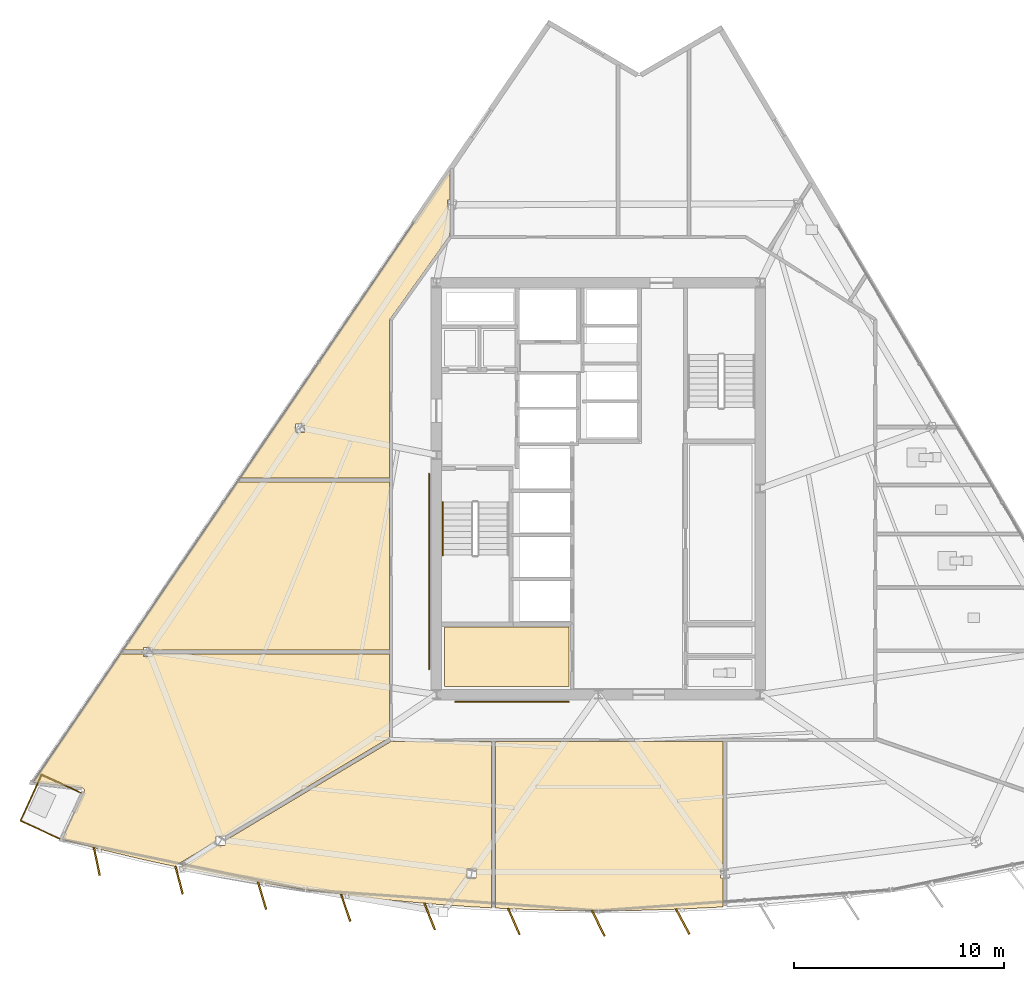
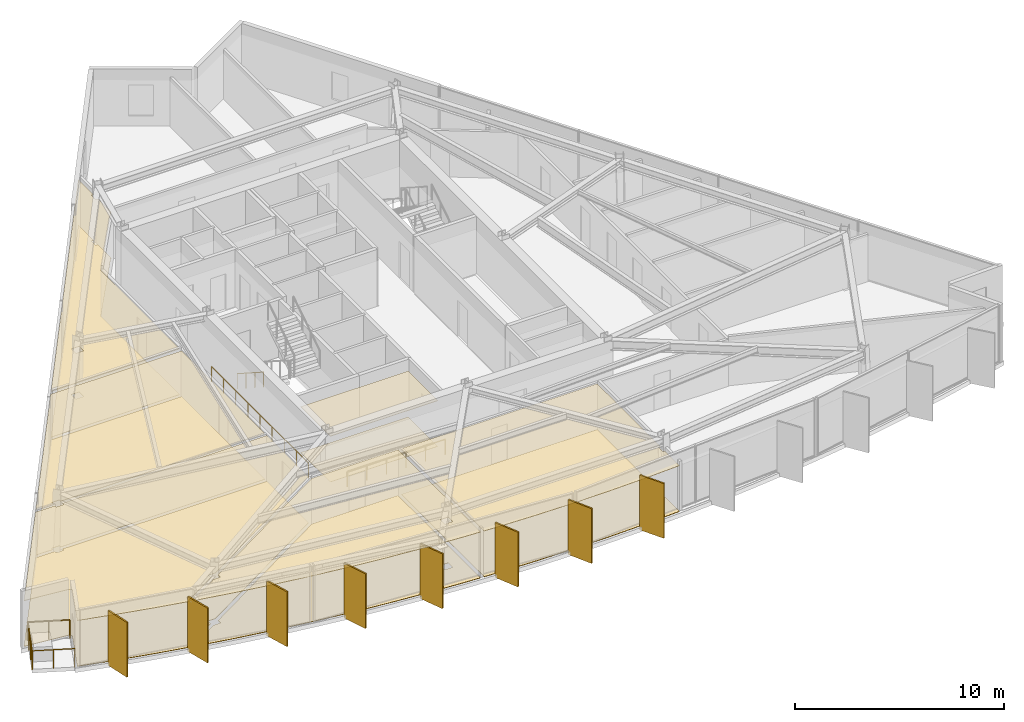
# One storey, part 11 of 15: 12 coverings, 8 shading devices, 6 railings.
"""IFC4 building model written with IfcOpenShell, lengths in metres."""

from ifc_helpers import new_model, si_unit, direction, frame, origin, origin_2d, place, context, subcontext, project, spatial, polyline, rectangle, circle, outline, extrude, material, layer, layer_set, type_object, element, save


model = new_model("IFC4")

# Units and contexts
model_context = context("Model", 3, precision=1e-05, world=origin(), true_north=direction((0.0, 1.0)))
body_context = subcontext(model_context, "Body", "Model", "MODEL_VIEW")
ifc_project = project(units=[si_unit("LENGTHUNIT", "METRE"), si_unit("AREAUNIT", "SQUARE_METRE"), si_unit("VOLUMEUNIT", "CUBIC_METRE"), si_unit("PLANEANGLEUNIT", "RADIAN"), si_unit("MASSUNIT", "GRAM", prefix="KILO")], contexts=[model_context])

# Site, building, storey
site_placement = place(None, origin())
site = spatial("IfcSite", under=ifc_project, at=site_placement, CompositionType="ELEMENT")
building_placement = place(site_placement, origin())
building = spatial("IfcBuilding", under=site, at=building_placement, Name="Savorim Split Tower", CompositionType="ELEMENT")
storey_placement = place(building_placement, frame((0.0, 0.0, 145.800048828125)))
storey = spatial("IfcBuildingStorey", under=building, at=storey_placement, Name="L38", CompositionType="ELEMENT", Elevation=145.800048828125)

# Coverings
ifc_material_1 = material(Name="Mineral Fibre Acoustic Ceiling")
ifc_layer_1 = layer(ifc_material_1, 0.02490234375)
ifc_layer_set_1 = layer_set([ifc_layer_1], Name="COV-CEIL-25")
covering_type_1 = type_object("IfcCoveringType", Name="COV-CEIL-25", PredefinedType="CEILING", material=ifc_layer_set_1)
covering_1_placement = place(storey_placement, frame((0.0, 0.0, 2.669921875)))
element("IfcCovering", 1, at=covering_1_placement, inside=storey, type_object=covering_type_1, Name="L38 Housekeeping Store Acoustic Ceiling", PredefinedType="CEILING", context=body_context, shape_type="SweptSolid", body=[
    extrude(outline(polyline([(-7.320068359375, -6.179931640625), (-7.320068359375, -9.02001953125), (-1.3798828125, -9.02001953125), (-1.3798828125, -6.179931640625), (-7.320068359375, -6.179931640625)])), origin(), (0.0, 0.0, 1.0), 0.025146484375),
])
covering_2_placement = place(storey_placement, frame((0.0, 0.0, 2.669921875)))
element("IfcCovering", 2, at=covering_2_placement, inside=storey, type_object=covering_type_1, Name="L38 Co-Working Commons Acoustic Ceiling", PredefinedType="CEILING", context=body_context, shape_type="SweptSolid", body=[
    extrude(outline(polyline([(-21.217529296875, -7.149658203125), (-21.217529296875, -7.268310546875), (-9.919921875, -7.268310546875), (-9.919921875, 0.704833984375), (-17.169677734375, 0.704833984375), (-22.593505859375, -7.268310546875), (-21.6416015625, -7.268310546875), (-21.6416015625, -7.149658203125), (-21.217529296875, -7.149658203125)])), origin(), (0.0, 0.0, 1.0), 0.025146484375),
])
covering_3_placement = place(storey_placement, frame((0.0, 0.0, 2.669921875)))
element("IfcCovering", 3, at=covering_3_placement, inside=storey, type_object=covering_type_1, Name="L38 Maker Workshop Acoustic Ceiling", PredefinedType="CEILING", context=body_context, shape_type="SweptSolid", body=[
    extrude(outline(polyline([(-24.447265625, -13.9619140625), (-24.447998046875, -13.973876953125), (-24.4501953125, -13.985595703125), (-24.45361328125, -13.9970703125), (-24.4580078125, -14.00830078125), (-25.5048828125, -16.28662109375), (-23.711181640625, -16.755615234375), (-21.770263671875, -17.220947265625), (-20.06103515625, -17.593994140625), (-20.09912109375, -17.530029296875), (-18.181640625, -16.3837890625), (-18.181640625, -16.154296875), (-17.797607421875, -16.154296875), (-9.951904296875, -11.46435546875), (-9.919921875, -11.4453125), (-9.919921875, -7.458251953125), (-21.217529296875, -7.458251953125), (-21.217529296875, -7.57666015625), (-21.6416015625, -7.57666015625), (-21.6416015625, -7.458251953125), (-22.59765625, -7.458251953125), (-22.692626953125, -7.458251953125), (-22.692626953125, -7.413818359375), (-26.88623046875, -13.578369140625), (-24.5537109375, -13.8388671875), (-24.5419921875, -13.8408203125), (-24.530517578125, -13.84375), (-24.519287109375, -13.847900390625), (-24.508544921875, -13.853271484375), (-24.49853515625, -13.859619140625), (-24.489013671875, -13.866943359375), (-24.48046875, -13.875244140625), (-24.47265625, -13.88427734375), (-24.4658203125, -13.893798828125), (-24.459716796875, -13.904296875), (-24.455078125, -13.915283203125), (-24.451416015625, -13.926513671875), (-24.44873046875, -13.938232421875), (-24.447509765625, -13.9501953125), (-24.447265625, -13.9619140625)])), origin(), (0.0, 0.0, 1.0), 0.025146484375),
])
covering_4_placement = place(storey_placement, frame((0.0, 0.0, 2.669921875)))
element("IfcCovering", 4, at=covering_4_placement, inside=storey, type_object=covering_type_1, Name="L38 Co-Working Commons Acoustic Ceiling", PredefinedType="CEILING", context=body_context, shape_type="SweptSolid", body=[
    extrude(outline(polyline([(-9.962158203125, -19.17138671875), (-7.974853515625, -19.35498046875), (-5.98388671875, -19.497802734375), (-5.085693359375, -19.543701171875), (-5.085693359375, -11.6201171875), (-9.780029296875, -11.6201171875), (-9.793701171875, -11.619384765625), (-9.807373046875, -11.6171875), (-9.820556640625, -11.614013671875), (-9.82763671875, -11.611328125), (-17.7578125, -16.351806640625), (-17.7578125, -16.581298828125), (-18.1416015625, -16.581298828125), (-19.89599609375, -17.6298828125), (-19.8203125, -17.646484375), (-17.86181640625, -18.031982421875), (-15.89599609375, -18.37744140625), (-13.923828125, -18.6826171875), (-11.945556640625, -18.947265625), (-9.962158203125, -19.17138671875)]), holes=[polyline([(-6.234619140625, -18.115234375), (-5.810546875, -18.115234375), (-5.810546875, -17.688232421875), (-6.234619140625, -17.688232421875), (-6.234619140625, -18.115234375)])]), origin(), (0.0, 0.0, 1.0), 0.025146484375),
])
covering_5_placement = place(storey_placement, frame((0.0, 0.0, 2.669921875)))
element("IfcCovering", 5, at=covering_5_placement, inside=storey, type_object=covering_type_1, Name="L38 Maker Workshop Acoustic Ceiling", PredefinedType="CEILING", context=body_context, shape_type="SweptSolid", body=[
    extrude(outline(polyline([(-1.99560546875, -19.6611328125), (0.0, -19.681640625), (1.99560546875, -19.6611328125), (3.99072265625, -19.599853515625), (5.927490234375, -19.500732421875), (5.927490234375, -18.115234375), (5.810546875, -18.115234375), (5.810546875, -17.688232421875), (5.927490234375, -17.688232421875), (5.927490234375, -11.6201171875), (-4.895751953125, -11.6201171875), (-4.895751953125, -19.5537109375), (-3.99072265625, -19.599853515625), (-1.99560546875, -19.6611328125)])), origin(), (0.0, 0.0, 1.0), 0.025146484375),
])
covering_6_placement = place(storey_placement, frame((0.0, 0.0, 2.669921875)))
element("IfcCovering", 6, at=covering_6_placement, inside=storey, type_object=covering_type_1, Name="L38 Maker Workshop Acoustic Ceiling", PredefinedType="CEILING", context=body_context, shape_type="SweptSolid", body=[
    extrude(outline(polyline([(-7.075439453125, 12.39794921875), (-7.06396484375, 12.404541015625), (-7.056884765625, 12.40771484375), (-7.056884765625, 13.6904296875), (-7.174072265625, 13.6904296875), (-7.174072265625, 14.117431640625), (-7.056884765625, 14.117431640625), (-7.056884765625, 15.5703125), (-17.040283203125, 0.89501953125), (-9.919921875, 0.89501953125), (-9.919921875, 8.39990234375), (-9.919189453125, 8.41455078125), (-9.9169921875, 8.4287109375), (-9.913330078125, 8.44287109375), (-9.908203125, 8.456298828125), (-9.901611328125, 8.46923828125), (-9.893798828125, 8.4814453125), (-7.11376953125, 12.361572265625), (-7.105712890625, 12.3720703125), (-7.096435546875, 12.381591796875), (-7.086181640625, 12.39013671875), (-7.075439453125, 12.39794921875)]), holes=[polyline([(-14.40771484375, 3.48388671875), (-14.40771484375, 3.056884765625), (-13.98388671875, 3.056884765625), (-13.98388671875, 3.48388671875), (-14.40771484375, 3.48388671875)])]), origin(), (0.0, 0.0, 1.0), 0.025146484375),
])
ifc_material_2 = material(Name="Porcelain Stoneware Flooring", Category="masonry")
ifc_layer_2 = layer(ifc_material_2, 0.02001953125)
ifc_layer_set_2 = layer_set([ifc_layer_2], Name="COV-FLOR-20")
covering_type_2 = type_object("IfcCoveringType", Name="COV-FLOR-20", PredefinedType="FLOORING", material=ifc_layer_set_2)
covering_7_placement = place(storey_placement, origin())
element("IfcCovering", 7, at=covering_7_placement, inside=storey, type_object=covering_type_2, Name="L38 Housekeeping Store Porcelain Flooring", PredefinedType="FLOORING", context=body_context, shape_type="SweptSolid", body=[
    extrude(outline(polyline([(-7.320068359375, -6.179931640625), (-7.320068359375, -9.02001953125), (-1.3798828125, -9.02001953125), (-1.3798828125, -6.179931640625), (-7.320068359375, -6.179931640625)])), origin(), (0.0, 0.0, 1.0), 0.02001953125),
])
covering_8_placement = place(storey_placement, origin())
element("IfcCovering", 8, at=covering_8_placement, inside=storey, type_object=covering_type_2, Name="L38 Co-Working Commons Porcelain Flooring", PredefinedType="FLOORING", context=body_context, shape_type="SweptSolid", body=[
    extrude(outline(polyline([(-21.217529296875, -7.149658203125), (-21.217529296875, -7.268310546875), (-9.919921875, -7.268310546875), (-9.919921875, 0.704833984375), (-17.169677734375, 0.704833984375), (-22.593505859375, -7.268310546875), (-21.6416015625, -7.268310546875), (-21.6416015625, -7.149658203125), (-21.217529296875, -7.149658203125)])), origin(), (0.0, 0.0, 1.0), 0.02001953125),
])
covering_9_placement = place(storey_placement, origin())
element("IfcCovering", 9, at=covering_9_placement, inside=storey, type_object=covering_type_2, Name="L38 Maker Workshop Porcelain Flooring", PredefinedType="FLOORING", context=body_context, shape_type="SweptSolid", body=[
    extrude(outline(polyline([(-24.447265625, -13.9619140625), (-24.447998046875, -13.973876953125), (-24.4501953125, -13.985595703125), (-24.45361328125, -13.9970703125), (-24.4580078125, -14.00830078125), (-25.5048828125, -16.28662109375), (-23.711181640625, -16.755615234375), (-21.770263671875, -17.220947265625), (-20.06103515625, -17.593994140625), (-20.09912109375, -17.530029296875), (-18.181640625, -16.3837890625), (-18.181640625, -16.154296875), (-17.797607421875, -16.154296875), (-9.951904296875, -11.46435546875), (-9.919921875, -11.4453125), (-9.919921875, -7.458251953125), (-21.217529296875, -7.458251953125), (-21.217529296875, -7.57666015625), (-21.6416015625, -7.57666015625), (-21.6416015625, -7.458251953125), (-22.59765625, -7.458251953125), (-22.692626953125, -7.458251953125), (-22.692626953125, -7.413818359375), (-26.88623046875, -13.578369140625), (-24.5537109375, -13.8388671875), (-24.5419921875, -13.8408203125), (-24.530517578125, -13.84375), (-24.519287109375, -13.847900390625), (-24.508544921875, -13.853271484375), (-24.49853515625, -13.859619140625), (-24.489013671875, -13.866943359375), (-24.48046875, -13.875244140625), (-24.47265625, -13.88427734375), (-24.4658203125, -13.893798828125), (-24.459716796875, -13.904296875), (-24.455078125, -13.915283203125), (-24.451416015625, -13.926513671875), (-24.44873046875, -13.938232421875), (-24.447509765625, -13.9501953125), (-24.447265625, -13.9619140625)])), origin(), (0.0, 0.0, 1.0), 0.02001953125),
])
covering_10_placement = place(storey_placement, origin())
element("IfcCovering", 10, at=covering_10_placement, inside=storey, type_object=covering_type_2, Name="L38 Co-Working Commons Porcelain Flooring", PredefinedType="FLOORING", context=body_context, shape_type="SweptSolid", body=[
    extrude(outline(polyline([(-9.962158203125, -19.17138671875), (-7.974853515625, -19.35498046875), (-5.98388671875, -19.497802734375), (-5.085693359375, -19.543701171875), (-5.085693359375, -11.6201171875), (-9.780029296875, -11.6201171875), (-9.793701171875, -11.619384765625), (-9.807373046875, -11.6171875), (-9.820556640625, -11.614013671875), (-9.82763671875, -11.611328125), (-17.7578125, -16.351806640625), (-17.7578125, -16.581298828125), (-18.1416015625, -16.581298828125), (-19.89599609375, -17.6298828125), (-19.8203125, -17.646484375), (-17.86181640625, -18.031982421875), (-15.89599609375, -18.37744140625), (-13.923828125, -18.6826171875), (-11.945556640625, -18.947265625), (-9.962158203125, -19.17138671875)]), holes=[polyline([(-6.234619140625, -18.115234375), (-5.810546875, -18.115234375), (-5.810546875, -17.688232421875), (-6.234619140625, -17.688232421875), (-6.234619140625, -18.115234375)])]), origin(), (0.0, 0.0, 1.0), 0.02001953125),
])
covering_11_placement = place(storey_placement, origin())
element("IfcCovering", 11, at=covering_11_placement, inside=storey, type_object=covering_type_2, Name="L38 Maker Workshop Porcelain Flooring", PredefinedType="FLOORING", context=body_context, shape_type="SweptSolid", body=[
    extrude(outline(polyline([(-1.99560546875, -19.6611328125), (0.0, -19.681640625), (1.99560546875, -19.6611328125), (3.99072265625, -19.599853515625), (5.927490234375, -19.500732421875), (5.927490234375, -18.115234375), (5.810546875, -18.115234375), (5.810546875, -17.688232421875), (5.927490234375, -17.688232421875), (5.927490234375, -11.6201171875), (-4.895751953125, -11.6201171875), (-4.895751953125, -19.5537109375), (-3.99072265625, -19.599853515625), (-1.99560546875, -19.6611328125)])), origin(), (0.0, 0.0, 1.0), 0.02001953125),
])
covering_12_placement = place(storey_placement, origin())
element("IfcCovering", 12, at=covering_12_placement, inside=storey, type_object=covering_type_2, Name="L38 Maker Workshop Porcelain Flooring", PredefinedType="FLOORING", context=body_context, shape_type="SweptSolid", body=[
    extrude(outline(polyline([(-7.075439453125, 12.39794921875), (-7.06396484375, 12.404541015625), (-7.056884765625, 12.40771484375), (-7.056884765625, 13.6904296875), (-7.174072265625, 13.6904296875), (-7.174072265625, 14.117431640625), (-7.056884765625, 14.117431640625), (-7.056884765625, 15.5703125), (-17.040283203125, 0.89501953125), (-9.919921875, 0.89501953125), (-9.919921875, 8.39990234375), (-9.919189453125, 8.41455078125), (-9.9169921875, 8.4287109375), (-9.913330078125, 8.44287109375), (-9.908203125, 8.456298828125), (-9.901611328125, 8.46923828125), (-9.893798828125, 8.4814453125), (-7.11376953125, 12.361572265625), (-7.105712890625, 12.3720703125), (-7.096435546875, 12.381591796875), (-7.086181640625, 12.39013671875), (-7.075439453125, 12.39794921875)]), holes=[polyline([(-14.40771484375, 3.48388671875), (-14.40771484375, 3.056884765625), (-13.98388671875, 3.056884765625), (-13.98388671875, 3.48388671875), (-14.40771484375, 3.48388671875)])]), origin(), (0.0, 0.0, 1.0), 0.02001953125),
])

# Railings
ifc_material_3 = material(Name="Galvanised Painted Steel Balustrade", Category="steel")
railing_type_1 = type_object("IfcRailingType", Name="RLG-BAL-1100", PredefinedType="BALUSTRADE", material=ifc_material_3)
railing_1_placement = place(storey_placement, frame((-25.62353515625, -16.25732421875, 0.0)))
element("IfcRailing", 13, at=railing_1_placement, inside=storey, type_object=railing_type_1, Name="L38 Tree Balcony Guardrail SW-1", PredefinedType="BALUSTRADE", context=body_context, shape_type="SweptSolid", body=[
    extrude(circle(Radius=0.02392578125, at=origin_2d()), frame((0.0, 0.0, 1.076171875), z_axis=(-0.908707369925, 0.417433726289, 0.0), x_axis=(-0.417433726289, -0.908707369925, 0.0)), (0.0, 0.0, 1.0), 2.050048828125),
    extrude(circle(Radius=0.02099609375, at=origin_2d()), origin(), (0.0, 0.0, 1.0), 1.052001953125),
    extrude(circle(Radius=0.02099609375, at=origin_2d()), frame((-0.931396484375, 0.427734375, 0.0)), (0.0, 0.0, 1.0), 1.052001953125),
    extrude(circle(Radius=0.02099609375, at=origin_2d()), frame((-1.86279296875, 0.855712890625, 0.0)), (0.0, 0.0, 1.0), 1.052001953125),
])
railing_2_placement = place(storey_placement, frame((-27.486328125, -15.401611328125, 0.0)))
element("IfcRailing", 14, at=railing_2_placement, inside=storey, type_object=railing_type_1, Name="L38 Tree Balcony Guardrail SW-2", PredefinedType="BALUSTRADE", context=body_context, shape_type="SweptSolid", body=[
    extrude(circle(Radius=0.02392578125, at=origin_2d()), frame((0.0, 0.0, 1.076171875), z_axis=(0.417477569656, 0.908687228277, 0.0), x_axis=(-0.908687228277, 0.417477569656, 0.0)), (0.0, 0.0, 1.0), 2.41064453125),
    extrude(circle(Radius=0.02099609375, at=origin_2d()), origin(), (0.0, 0.0, 1.0), 1.052001953125),
    extrude(circle(Radius=0.02099609375, at=origin_2d()), frame((0.33544921875, 0.730224609375, 0.0)), (0.0, 0.0, 1.0), 1.052001953125),
    extrude(circle(Radius=0.02099609375, at=origin_2d()), frame((0.6708984375, 1.460205078125, 0.0)), (0.0, 0.0, 1.0), 1.052001953125),
    extrude(circle(Radius=0.02099609375, at=origin_2d()), frame((1.00634765625, 2.1904296875, 0.0)), (0.0, 0.0, 1.0), 1.052001953125),
])
railing_3_placement = place(storey_placement, frame((-26.47998046875, -13.211181640625, 0.0)))
element("IfcRailing", 15, at=railing_3_placement, inside=storey, type_object=railing_type_1, Name="L38 Tree Balcony Guardrail SW-3", PredefinedType="BALUSTRADE", context=body_context, shape_type="SweptSolid", body=[
    extrude(circle(Radius=0.02392578125, at=origin_2d()), frame((0.0, 0.0, 1.076171875), z_axis=(0.908662190505, -0.417532062898, 0.0), x_axis=(0.417532062898, 0.908662190505, 0.0)), (0.0, 0.0, 1.0), 2.050048828125),
    extrude(circle(Radius=0.02099609375, at=origin_2d()), origin(), (0.0, 0.0, 1.0), 1.052001953125),
    extrude(circle(Radius=0.02099609375, at=origin_2d()), frame((0.931396484375, -0.427978515625, 0.0)), (0.0, 0.0, 1.0), 1.052001953125),
    extrude(circle(Radius=0.02099609375, at=origin_2d()), frame((1.86279296875, -0.85595703125, 0.0)), (0.0, 0.0, 1.0), 1.052001953125),
])
railing_type_2 = type_object("IfcRailingType", Name="RLG-HR-900", PredefinedType="HANDRAIL", material=ifc_material_3)
railing_4_placement = place(storey_placement, frame((-7.39990234375, -0.25, 0.179931640625)))
element("IfcRailing", 16, at=railing_4_placement, inside=storey, type_object=railing_type_2, Name="L38 ST-1 stair handrail 1", PredefinedType="HANDRAIL", context=body_context, shape_type="SweptSolid", body=[
    extrude(circle(Radius=0.02392578125, at=origin_2d()), frame((0.0, 0.0, 0.8759765625), z_axis=(0.0, -0.841162588446, 0.540782303519), x_axis=(1.0, 0.0, 0.0)), (0.0, 0.0, 1.0), 2.995849609375),
    extrude(circle(Radius=0.02099609375, at=origin_2d()), origin(), (0.0, 0.0, 1.0), 0.851806640625),
    extrude(circle(Radius=0.02099609375, at=origin_2d()), frame((0.0, -0.840087890625, 0.5400390625)), (0.0, 0.0, 1.0), 0.851806640625),
    extrude(circle(Radius=0.02099609375, at=origin_2d()), frame((0.0, -1.679931640625, 1.080078125)), (0.0, 0.0, 1.0), 0.851806640625),
    extrude(circle(Radius=0.02099609375, at=origin_2d()), frame((0.0, -2.52001953125, 1.6201171875)), (0.0, 0.0, 1.0), 0.851806640625),
])
railing_5_placement = place(storey_placement, frame((-6.800048828125, -9.75, 0.0)))
element("IfcRailing", 17, at=railing_5_placement, inside=storey, type_object=railing_type_2, Name="L38 Corridor South Accessible Handrail", PredefinedType="HANDRAIL", context=body_context, shape_type="SweptSolid", body=[
    extrude(circle(Radius=0.02392578125, at=origin_2d()), frame((0.0, 0.0, 0.8759765625), z_axis=(1.0, 0.0, 0.0), x_axis=(0.0, 1.0, 0.0)), (0.0, 0.0, 1.0), 5.400146484375),
    extrude(circle(Radius=0.02099609375, at=origin_2d()), origin(), (0.0, 0.0, 1.0), 0.851806640625),
    extrude(circle(Radius=0.02099609375, at=origin_2d()), frame((1.080078125, 0.0, 0.0)), (0.0, 0.0, 1.0), 0.851806640625),
    extrude(circle(Radius=0.02099609375, at=origin_2d()), frame((2.16015625, 0.0, 0.0)), (0.0, 0.0, 1.0), 0.851806640625),
    extrude(circle(Radius=0.02099609375, at=origin_2d()), frame((3.239990234375, 0.0, 0.0)), (0.0, 0.0, 1.0), 0.851806640625),
    extrude(circle(Radius=0.02099609375, at=origin_2d()), frame((4.320068359375, 0.0, 0.0)), (0.0, 0.0, 1.0), 0.851806640625),
    extrude(circle(Radius=0.02099609375, at=origin_2d()), frame((5.400146484375, 0.0, 0.0)), (0.0, 0.0, 1.0), 0.851806640625),
])
railing_6_placement = place(storey_placement, frame((-8.050048828125, -8.199951171875, 0.0)))
element("IfcRailing", 18, at=railing_6_placement, inside=storey, type_object=railing_type_2, Name="L38 Corridor West Accessible Handrail", PredefinedType="HANDRAIL", context=body_context, shape_type="SweptSolid", body=[
    extrude(circle(Radius=0.02392578125, at=origin_2d()), frame((0.0, 0.0, 0.8759765625), z_axis=(0.0, 1.0, 0.0), x_axis=(-1.0, 0.0, 0.0)), (0.0, 0.0, 1.0), 9.300048828125),
    extrude(circle(Radius=0.02099609375, at=origin_2d()), origin(), (0.0, 0.0, 1.0), 0.851806640625),
    extrude(circle(Radius=0.02099609375, at=origin_2d()), frame((0.0, 1.16259765625, 0.0)), (0.0, 0.0, 1.0), 0.851806640625),
    extrude(circle(Radius=0.02099609375, at=origin_2d()), frame((0.0, 2.324951171875, 0.0)), (0.0, 0.0, 1.0), 0.851806640625),
    extrude(circle(Radius=0.02099609375, at=origin_2d()), frame((0.0, 3.487548828125, 0.0)), (0.0, 0.0, 1.0), 0.851806640625),
    extrude(circle(Radius=0.02099609375, at=origin_2d()), frame((0.0, 4.64990234375, 0.0)), (0.0, 0.0, 1.0), 0.851806640625),
    extrude(circle(Radius=0.02099609375, at=origin_2d()), frame((0.0, 5.8125, 0.0)), (0.0, 0.0, 1.0), 0.851806640625),
    extrude(circle(Radius=0.02099609375, at=origin_2d()), frame((0.0, 6.97509765625, 0.0)), (0.0, 0.0, 1.0), 0.851806640625),
    extrude(circle(Radius=0.02099609375, at=origin_2d()), frame((0.0, 8.137451171875, 0.0)), (0.0, 0.0, 1.0), 0.851806640625),
    extrude(circle(Radius=0.02099609375, at=origin_2d()), frame((0.0, 9.300048828125, 0.0)), (0.0, 0.0, 1.0), 0.851806640625),
])

# Shading devices
ifc_material_4 = material(Name="Terracotta Ceramic-Coated Aluminium Fin", Category="masonry")
shading_device_type = type_object("IfcShadingDeviceType", Name="SHD-FIN-1360", PredefinedType="USERDEFINED", material=ifc_material_4)
for number, where, z_axis, x_axis, name in (
    (19, (-23.85595703125, -17.333740234375, -0.2001953125), (0.0, 0.0, 1.0), (0.206721626106, -0.978399800337, 0.0), "L38 Sawtooth Shading Fin 01"),
    (20, (-19.94140625, -18.22998046875, -0.2001953125), (0.0, 0.0, 1.0), (0.246581250663, -0.969122121727, 0.0), "L38 Sawtooth Shading Fin 02"),
    (21, (-15.993408203125, -18.965576171875, -0.2001953125), (0.0, 0.0, 1.0), (0.286026212504, -0.958221793616, 0.0), "L38 Sawtooth Shading Fin 03"),
    (22, (-12.0185546875, -19.538818359375, -0.2001953125), (0.0, 0.0, 1.0), (0.324993810493, -0.945716143005, 0.0), "L38 Sawtooth Shading Fin 04"),
    (23, (-8.0234375, -19.948974609375, -0.2001953125), (0.0, 0.0, 1.0), (0.363415461732, -0.931627179817, 0.0), "L38 Sawtooth Shading Fin 05"),
    (24, (-4.01513671875, -20.1953125, -0.2001953125), (0.0, 0.0, 1.0), (0.401230091723, -0.915977299662, 0.0), "L38 Sawtooth Shading Fin 06"),
    (25, (0.0, -20.277587890625, -0.2001953125), (0.0, 0.0, 1.0), (0.438371146789, -0.898794046299, 0.0), "L38 Sawtooth Shading Fin 07"),
    (26, (4.01513671875, -20.1953125, -0.2001953125), (0.0, 0.0, 1.0), (0.474778051978, -0.880105562623, 0.0), "L38 Sawtooth Shading Fin 08"),
):
    element("IfcShadingDevice", number, at=place(storey_placement, frame(where, z_axis=z_axis, x_axis=x_axis)), inside=storey, type_object=shading_device_type, Name=name, ObjectType="FIN", PredefinedType="USERDEFINED", context=body_context, shape_type="SweptSolid", body=[
        extrude(rectangle(XDim=1.360107421875, YDim=0.080078125, at=origin_2d()), origin(), (0.0, 0.0, 1.0), 3.199951171875),
    ])

save(model, "model.ifc")
